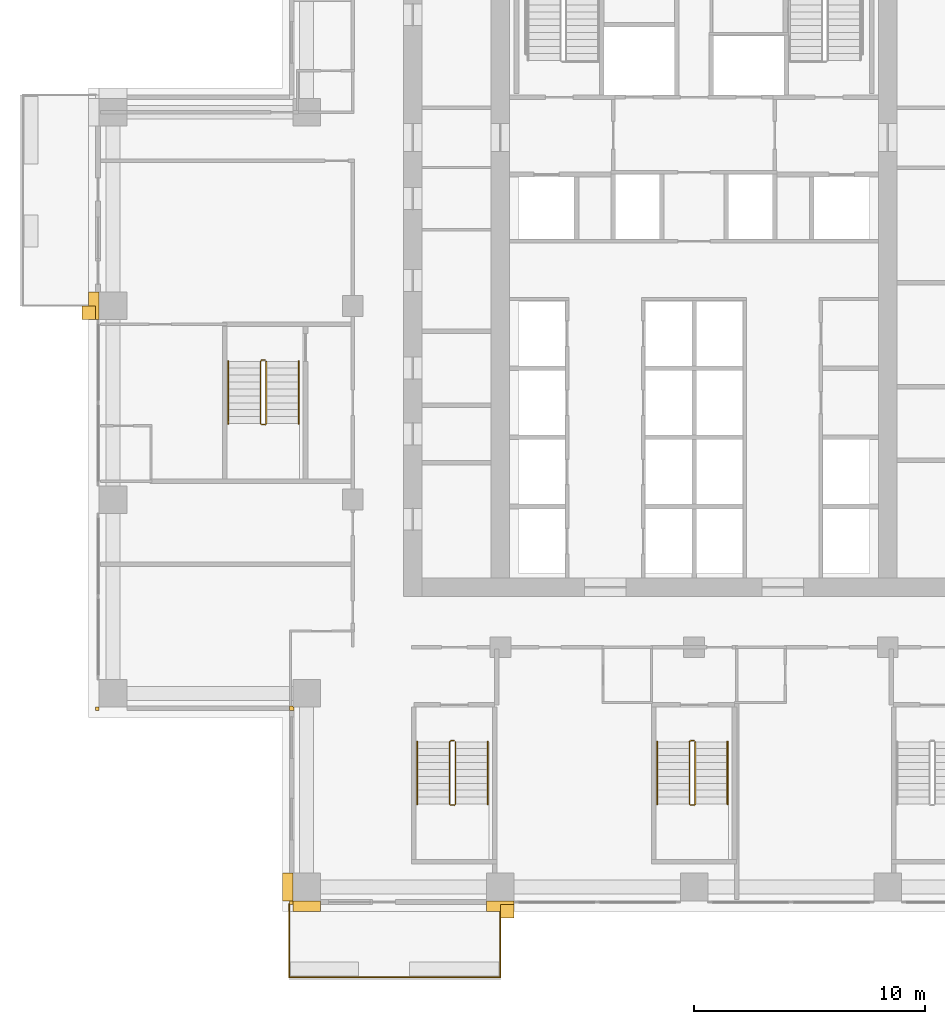
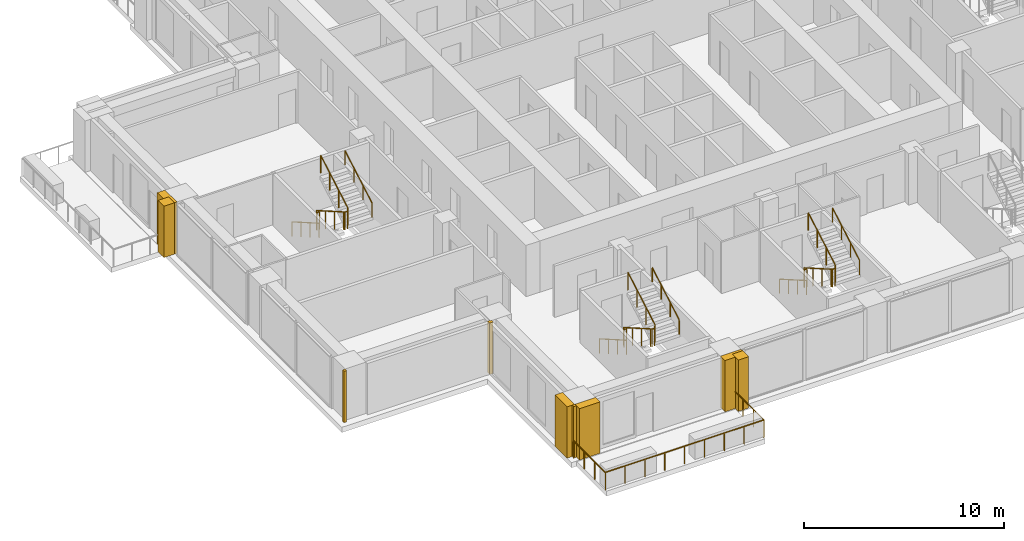
# One storey, part 14 of 17: 10 railings, 9 coverings.
"""IFC4 building model written with IfcOpenShell, lengths in metres."""

from ifc_helpers import new_model, si_unit, direction, frame, origin, origin_2d, place, context, subcontext, project, spatial, polyline, rectangle, outline, extrude, material, type_object, element, save


model = new_model("IFC4")

# Units and contexts
model_context = context("Model", 3, precision=1e-05, world=origin(), true_north=direction((0.0, 1.0)))
body_context = subcontext(model_context, "Body", "Model", "MODEL_VIEW")
ifc_project = project(units=[si_unit("LENGTHUNIT", "METRE"), si_unit("AREAUNIT", "SQUARE_METRE"), si_unit("VOLUMEUNIT", "CUBIC_METRE"), si_unit("PLANEANGLEUNIT", "RADIAN"), si_unit("MASSUNIT", "GRAM", prefix="KILO")], contexts=[model_context])

# Site, building, storey
site_placement = place(None, origin())
site = spatial("IfcSite", under=ifc_project, at=site_placement, CompositionType="ELEMENT")
building_placement = place(site_placement, origin())
building = spatial("IfcBuilding", under=site, at=building_placement, Name="Vermilion Ogive Tower", CompositionType="ELEMENT")
storey_placement = place(building_placement, frame((0.0, 0.0, 87.300048828125)))
storey = spatial("IfcBuildingStorey", under=building, at=storey_placement, Name="L21", CompositionType="ELEMENT", Elevation=87.300048828125)

# Railings
ifc_material_1 = material(Name="Stainless steel and glass", Category="steel")
railing_type_1 = type_object("IfcRailingType", Name="Balcony guard", PredefinedType="GUARDRAIL", material=ifc_material_1)
railing_1_placement = place(storey_placement, frame((-17.550048828125, -21.75, -0.0400390625)))
element("IfcRailing", 1, at=railing_1_placement, inside=storey, type_object=railing_type_1, Name="Guard S01", PredefinedType="GUARDRAIL", context=body_context, shape_type="SweptSolid", body=[
    extrude(rectangle(XDim=0.048095703125, YDim=0.048095703125, at=origin_2d()), frame((0.0, 0.0, 1.076171875), z_axis=(0.0, -1.0, 0.0), x_axis=(1.0, 0.0, 0.0)), (0.0, 0.0, 1.0), 3.159912109375),
    extrude(rectangle(XDim=0.048095703125, YDim=0.048095703125, at=origin_2d()), frame((0.0, -3.159912109375, 1.076171875), z_axis=(1.0, 0.0, 0.0), x_axis=(0.0, 1.0, 0.0)), (0.0, 0.0, 1.0), 9.150146484375),
    extrude(rectangle(XDim=0.048095703125, YDim=0.048095703125, at=origin_2d()), frame((9.150146484375, -3.159912109375, 1.076171875), z_axis=(0.0, 1.0, 0.0), x_axis=(-1.0, 0.0, 0.0)), (0.0, 0.0, 1.0), 3.159912109375),
    extrude(rectangle(XDim=0.0419921875, YDim=0.0419921875, at=origin_2d()), origin(), (0.0, 0.0, 1.0), 1.052001953125),
    extrude(rectangle(XDim=0.0419921875, YDim=0.0419921875, at=origin_2d()), frame((0.0, -1.05322265625, 0.0)), (0.0, 0.0, 1.0), 1.052001953125),
    extrude(rectangle(XDim=0.0419921875, YDim=0.0419921875, at=origin_2d()), frame((0.0, -2.106689453125, 0.0)), (0.0, 0.0, 1.0), 1.052001953125),
    extrude(rectangle(XDim=0.0419921875, YDim=0.0419921875, at=origin_2d()), frame((0.0, -3.159912109375, 0.0)), (0.0, 0.0, 1.0), 1.052001953125),
    extrude(rectangle(XDim=0.0419921875, YDim=0.0419921875, at=origin_2d()), frame((1.143798828125, -3.159912109375, 0.0)), (0.0, 0.0, 1.0), 1.052001953125),
    extrude(rectangle(XDim=0.0419921875, YDim=0.0419921875, at=origin_2d()), frame((2.28759765625, -3.159912109375, 0.0)), (0.0, 0.0, 1.0), 1.052001953125),
    extrude(rectangle(XDim=0.0419921875, YDim=0.0419921875, at=origin_2d()), frame((3.431396484375, -3.159912109375, 0.0)), (0.0, 0.0, 1.0), 1.052001953125),
    extrude(rectangle(XDim=0.0419921875, YDim=0.0419921875, at=origin_2d()), frame((4.5751953125, -3.159912109375, 0.0)), (0.0, 0.0, 1.0), 1.052001953125),
    extrude(rectangle(XDim=0.0419921875, YDim=0.0419921875, at=origin_2d()), frame((5.71875, -3.159912109375, 0.0)), (0.0, 0.0, 1.0), 1.052001953125),
    extrude(rectangle(XDim=0.0419921875, YDim=0.0419921875, at=origin_2d()), frame((6.862548828125, -3.159912109375, 0.0)), (0.0, 0.0, 1.0), 1.052001953125),
    extrude(rectangle(XDim=0.0419921875, YDim=0.0419921875, at=origin_2d()), frame((8.00634765625, -3.159912109375, 0.0)), (0.0, 0.0, 1.0), 1.052001953125),
    extrude(rectangle(XDim=0.0419921875, YDim=0.0419921875, at=origin_2d()), frame((9.150146484375, -3.159912109375, 0.0)), (0.0, 0.0, 1.0), 1.052001953125),
    extrude(rectangle(XDim=0.0419921875, YDim=0.0419921875, at=origin_2d()), frame((9.150146484375, -2.106689453125, 0.0)), (0.0, 0.0, 1.0), 1.052001953125),
    extrude(rectangle(XDim=0.0419921875, YDim=0.0419921875, at=origin_2d()), frame((9.150146484375, -1.05322265625, 0.0)), (0.0, 0.0, 1.0), 1.052001953125),
    extrude(rectangle(XDim=0.0419921875, YDim=0.0419921875, at=origin_2d()), frame((9.150146484375, 0.0, 0.0)), (0.0, 0.0, 1.0), 1.052001953125),
])
ifc_material_2 = material(Name="Steel S355 painted", Category="steel")
railing_type_2 = type_object("IfcRailingType", Name="Stair guard 1100", PredefinedType="GUARDRAIL", material=ifc_material_2)
railing_2_placement = place(storey_placement, frame((-10.39990234375, -14.64990234375, 0.0)))
element("IfcRailing", 2, at=railing_2_placement, inside=storey, type_object=railing_type_2, Name="L21 ST3 stair guard 4", PredefinedType="GUARDRAIL", context=body_context, shape_type="SweptSolid", body=[
    extrude(rectangle(XDim=0.048095703125, YDim=0.048095703125, at=origin_2d()), frame((0.0, 0.0, 1.076171875), z_axis=(-1.0, 0.0, 0.0), x_axis=(0.0, -1.0, 0.0)), (0.0, 0.0, 1.0), 0.150146484375),
    extrude(rectangle(XDim=0.048095703125, YDim=0.048095703125, at=origin_2d()), frame((-0.150146484375, 0.0, 1.076171875), z_axis=(-0.268603158521, -0.268603158521, 0.925043072762), x_axis=(0.707106781187, -0.707106781187, 0.0)), (0.0, 0.0, 1.0), 0.186279296875),
    extrude(rectangle(XDim=0.048095703125, YDim=0.048095703125, at=origin_2d()), frame((-0.2001953125, -0.050048828125, 1.24853515625), z_axis=(0.0, -0.866903762492, 0.498475542607), x_axis=(1.0, 0.0, 0.0)), (0.0, 0.0, 1.0), 3.114501953125),
    extrude(rectangle(XDim=0.048095703125, YDim=0.048095703125, at=origin_2d()), frame((-0.2001953125, -2.75, 2.80078125), z_axis=(0.707106781187, -0.707106781187, 0.0), x_axis=(0.707106781187, 0.707106781187, 0.0)), (0.0, 0.0, 1.0), 0.07080078125),
    extrude(rectangle(XDim=0.048095703125, YDim=0.048095703125, at=origin_2d()), frame((-0.150146484375, -2.800048828125, 2.80078125), z_axis=(1.0, 0.0, 0.0), x_axis=(0.0, 1.0, 0.0)), (0.0, 0.0, 1.0), 0.150146484375),
    extrude(rectangle(XDim=0.048095703125, YDim=0.048095703125, at=origin_2d()), frame((0.0, -2.800048828125, 2.80078125), z_axis=(0.267062837333, 0.268371968888, 0.925556009775), x_axis=(-0.708833529934, 0.705375805398, 0.0)), (0.0, 0.0, 1.0), 0.1865234375),
    extrude(rectangle(XDim=0.048095703125, YDim=0.048095703125, at=origin_2d()), frame((0.0498046875, -2.75, 2.9736328125), z_axis=(0.0, 0.866903762492, 0.498475542607), x_axis=(-1.0, 0.0, 0.0)), (0.0, 0.0, 1.0), 3.114501953125),
    extrude(rectangle(XDim=0.0419921875, YDim=0.0419921875, at=origin_2d()), origin(), (0.0, 0.0, 1.0), 1.052001953125),
    extrude(rectangle(XDim=0.0419921875, YDim=0.0419921875, at=origin_2d()), frame((-0.150146484375, 0.0, 0.0)), (0.0, 0.0, 1.0), 1.052001953125),
    extrude(rectangle(XDim=0.0419921875, YDim=0.0419921875, at=origin_2d()), frame((-0.2001953125, -0.050048828125, 0.17236328125)), (0.0, 0.0, 1.0), 1.052001953125),
    extrude(rectangle(XDim=0.0419921875, YDim=0.0419921875, at=origin_2d()), frame((-0.2001953125, -0.949951171875, 0.68994140625)), (0.0, 0.0, 1.0), 1.052001953125),
    extrude(rectangle(XDim=0.0419921875, YDim=0.0419921875, at=origin_2d()), frame((-0.2001953125, -1.85009765625, 1.207275390625)), (0.0, 0.0, 1.0), 1.052001953125),
    extrude(rectangle(XDim=0.0419921875, YDim=0.0419921875, at=origin_2d()), frame((-0.2001953125, -2.75, 1.724853515625)), (0.0, 0.0, 1.0), 1.052001953125),
    extrude(rectangle(XDim=0.0419921875, YDim=0.0419921875, at=origin_2d()), frame((-0.150146484375, -2.800048828125, 1.724853515625)), (0.0, 0.0, 1.0), 1.052001953125),
    extrude(rectangle(XDim=0.0419921875, YDim=0.0419921875, at=origin_2d()), frame((0.0, -2.800048828125, 1.724853515625)), (0.0, 0.0, 1.0), 1.052001953125),
    extrude(rectangle(XDim=0.0419921875, YDim=0.0419921875, at=origin_2d()), frame((0.0498046875, -2.75, 1.8974609375)), (0.0, 0.0, 1.0), 1.052001953125),
    extrude(rectangle(XDim=0.0419921875, YDim=0.0419921875, at=origin_2d()), frame((0.0498046875, -1.85009765625, 2.4150390625)), (0.0, 0.0, 1.0), 1.052001953125),
    extrude(rectangle(XDim=0.0419921875, YDim=0.0419921875, at=origin_2d()), frame((0.0498046875, -0.949951171875, 2.932373046875)), (0.0, 0.0, 1.0), 1.052001953125),
    extrude(rectangle(XDim=0.0419921875, YDim=0.0419921875, at=origin_2d()), frame((0.0498046875, -0.050048828125, 3.449951171875)), (0.0, 0.0, 1.0), 1.052001953125),
])
railing_3_placement = place(storey_placement, frame((0.0, -14.64990234375, 0.0)))
element("IfcRailing", 3, at=railing_3_placement, inside=storey, type_object=railing_type_2, Name="L21 ST4 stair guard 4", PredefinedType="GUARDRAIL", context=body_context, shape_type="SweptSolid", body=[
    extrude(rectangle(XDim=0.048095703125, YDim=0.048095703125, at=origin_2d()), frame((0.0, 0.0, 1.076171875), z_axis=(-1.0, 0.0, 0.0), x_axis=(0.0, -1.0, 0.0)), (0.0, 0.0, 1.0), 0.14990234375),
    extrude(rectangle(XDim=0.048095703125, YDim=0.048095703125, at=origin_2d()), frame((-0.14990234375, 0.0, 1.076171875), z_axis=(-0.268603158521, -0.268603158521, 0.925043072762), x_axis=(0.707106781187, -0.707106781187, 0.0)), (0.0, 0.0, 1.0), 0.186279296875),
    extrude(rectangle(XDim=0.048095703125, YDim=0.048095703125, at=origin_2d()), frame((-0.199951171875, -0.050048828125, 1.24853515625), z_axis=(0.0, -0.866903762492, 0.498475542607), x_axis=(1.0, 0.0, 0.0)), (0.0, 0.0, 1.0), 3.114501953125),
    extrude(rectangle(XDim=0.048095703125, YDim=0.048095703125, at=origin_2d()), frame((-0.199951171875, -2.75, 2.80078125), z_axis=(0.707106781187, -0.707106781187, 0.0), x_axis=(0.707106781187, 0.707106781187, 0.0)), (0.0, 0.0, 1.0), 0.07080078125),
    extrude(rectangle(XDim=0.048095703125, YDim=0.048095703125, at=origin_2d()), frame((-0.14990234375, -2.800048828125, 2.80078125), z_axis=(1.0, 0.0, 0.0), x_axis=(0.0, 1.0, 0.0)), (0.0, 0.0, 1.0), 0.14990234375),
    extrude(rectangle(XDim=0.048095703125, YDim=0.048095703125, at=origin_2d()), frame((0.0, -2.800048828125, 2.80078125), z_axis=(0.268277960024, 0.268277960024, 0.925231793839), x_axis=(-0.707106781187, 0.707106781187, 0.0)), (0.0, 0.0, 1.0), 0.1865234375),
    extrude(rectangle(XDim=0.048095703125, YDim=0.048095703125, at=origin_2d()), frame((0.050048828125, -2.75, 2.9736328125), z_axis=(0.0, 0.866903762492, 0.498475542607), x_axis=(-1.0, 0.0, 0.0)), (0.0, 0.0, 1.0), 3.114501953125),
    extrude(rectangle(XDim=0.0419921875, YDim=0.0419921875, at=origin_2d()), origin(), (0.0, 0.0, 1.0), 1.052001953125),
    extrude(rectangle(XDim=0.0419921875, YDim=0.0419921875, at=origin_2d()), frame((-0.14990234375, 0.0, 0.0)), (0.0, 0.0, 1.0), 1.052001953125),
    extrude(rectangle(XDim=0.0419921875, YDim=0.0419921875, at=origin_2d()), frame((-0.199951171875, -0.050048828125, 0.17236328125)), (0.0, 0.0, 1.0), 1.052001953125),
    extrude(rectangle(XDim=0.0419921875, YDim=0.0419921875, at=origin_2d()), frame((-0.199951171875, -0.949951171875, 0.68994140625)), (0.0, 0.0, 1.0), 1.052001953125),
    extrude(rectangle(XDim=0.0419921875, YDim=0.0419921875, at=origin_2d()), frame((-0.199951171875, -1.85009765625, 1.207275390625)), (0.0, 0.0, 1.0), 1.052001953125),
    extrude(rectangle(XDim=0.0419921875, YDim=0.0419921875, at=origin_2d()), frame((-0.199951171875, -2.75, 1.724853515625)), (0.0, 0.0, 1.0), 1.052001953125),
    extrude(rectangle(XDim=0.0419921875, YDim=0.0419921875, at=origin_2d()), frame((-0.14990234375, -2.800048828125, 1.724853515625)), (0.0, 0.0, 1.0), 1.052001953125),
    extrude(rectangle(XDim=0.0419921875, YDim=0.0419921875, at=origin_2d()), frame((0.0, -2.800048828125, 1.724853515625)), (0.0, 0.0, 1.0), 1.052001953125),
    extrude(rectangle(XDim=0.0419921875, YDim=0.0419921875, at=origin_2d()), frame((0.050048828125, -2.75, 1.8974609375)), (0.0, 0.0, 1.0), 1.052001953125),
    extrude(rectangle(XDim=0.0419921875, YDim=0.0419921875, at=origin_2d()), frame((0.050048828125, -1.85009765625, 2.4150390625)), (0.0, 0.0, 1.0), 1.052001953125),
    extrude(rectangle(XDim=0.0419921875, YDim=0.0419921875, at=origin_2d()), frame((0.050048828125, -0.949951171875, 2.932373046875)), (0.0, 0.0, 1.0), 1.052001953125),
    extrude(rectangle(XDim=0.0419921875, YDim=0.0419921875, at=origin_2d()), frame((0.050048828125, -0.050048828125, 3.449951171875)), (0.0, 0.0, 1.0), 1.052001953125),
])
railing_4_placement = place(storey_placement, frame((-18.60009765625, 1.85009765625, 0.0)))
element("IfcRailing", 4, at=railing_4_placement, inside=storey, type_object=railing_type_2, Name="L21 ST9 stair guard 4", PredefinedType="GUARDRAIL", context=body_context, shape_type="SweptSolid", body=[
    extrude(rectangle(XDim=0.048095703125, YDim=0.048095703125, at=origin_2d()), frame((0.0, 0.0, 1.076171875), z_axis=(-1.0, 0.0, 0.0), x_axis=(0.0, -1.0, 0.0)), (0.0, 0.0, 1.0), 0.14990234375),
    extrude(rectangle(XDim=0.048095703125, YDim=0.048095703125, at=origin_2d()), frame((-0.14990234375, 0.0, 1.076171875), z_axis=(-0.268603158521, -0.268603158521, 0.925043072762), x_axis=(0.707106781187, -0.707106781187, 0.0)), (0.0, 0.0, 1.0), 0.186279296875),
    extrude(rectangle(XDim=0.048095703125, YDim=0.048095703125, at=origin_2d()), frame((-0.199951171875, -0.050048828125, 1.24853515625), z_axis=(0.0, -0.866903762492, 0.498475542607), x_axis=(1.0, 0.0, 0.0)), (0.0, 0.0, 1.0), 3.114501953125),
    extrude(rectangle(XDim=0.048095703125, YDim=0.048095703125, at=origin_2d()), frame((-0.199951171875, -2.75, 2.80078125), z_axis=(0.707106781187, -0.707106781187, 0.0), x_axis=(0.707106781187, 0.707106781187, 0.0)), (0.0, 0.0, 1.0), 0.07080078125),
    extrude(rectangle(XDim=0.048095703125, YDim=0.048095703125, at=origin_2d()), frame((-0.14990234375, -2.800048828125, 2.80078125), z_axis=(1.0, 0.0, 0.0), x_axis=(0.0, 1.0, 0.0)), (0.0, 0.0, 1.0), 0.14990234375),
    extrude(rectangle(XDim=0.048095703125, YDim=0.048095703125, at=origin_2d()), frame((0.0, -2.800048828125, 2.80078125), z_axis=(0.268277960024, 0.268277960024, 0.925231793839), x_axis=(-0.707106781187, 0.707106781187, 0.0)), (0.0, 0.0, 1.0), 0.1865234375),
    extrude(rectangle(XDim=0.048095703125, YDim=0.048095703125, at=origin_2d()), frame((0.050048828125, -2.75, 2.9736328125), z_axis=(0.0, 0.866903762492, 0.498475542607), x_axis=(-1.0, 0.0, 0.0)), (0.0, 0.0, 1.0), 3.114501953125),
    extrude(rectangle(XDim=0.0419921875, YDim=0.0419921875, at=origin_2d()), origin(), (0.0, 0.0, 1.0), 1.052001953125),
    extrude(rectangle(XDim=0.0419921875, YDim=0.0419921875, at=origin_2d()), frame((-0.14990234375, 0.0, 0.0)), (0.0, 0.0, 1.0), 1.052001953125),
    extrude(rectangle(XDim=0.0419921875, YDim=0.0419921875, at=origin_2d()), frame((-0.199951171875, -0.050048828125, 0.17236328125)), (0.0, 0.0, 1.0), 1.052001953125),
    extrude(rectangle(XDim=0.0419921875, YDim=0.0419921875, at=origin_2d()), frame((-0.199951171875, -0.949951171875, 0.68994140625)), (0.0, 0.0, 1.0), 1.052001953125),
    extrude(rectangle(XDim=0.0419921875, YDim=0.0419921875, at=origin_2d()), frame((-0.199951171875, -1.85009765625, 1.207275390625)), (0.0, 0.0, 1.0), 1.052001953125),
    extrude(rectangle(XDim=0.0419921875, YDim=0.0419921875, at=origin_2d()), frame((-0.199951171875, -2.75, 1.724853515625)), (0.0, 0.0, 1.0), 1.052001953125),
    extrude(rectangle(XDim=0.0419921875, YDim=0.0419921875, at=origin_2d()), frame((-0.14990234375, -2.800048828125, 1.724853515625)), (0.0, 0.0, 1.0), 1.052001953125),
    extrude(rectangle(XDim=0.0419921875, YDim=0.0419921875, at=origin_2d()), frame((0.0, -2.800048828125, 1.724853515625)), (0.0, 0.0, 1.0), 1.052001953125),
    extrude(rectangle(XDim=0.0419921875, YDim=0.0419921875, at=origin_2d()), frame((0.050048828125, -2.75, 1.8974609375)), (0.0, 0.0, 1.0), 1.052001953125),
    extrude(rectangle(XDim=0.0419921875, YDim=0.0419921875, at=origin_2d()), frame((0.050048828125, -1.85009765625, 2.4150390625)), (0.0, 0.0, 1.0), 1.052001953125),
    extrude(rectangle(XDim=0.0419921875, YDim=0.0419921875, at=origin_2d()), frame((0.050048828125, -0.949951171875, 2.932373046875)), (0.0, 0.0, 1.0), 1.052001953125),
    extrude(rectangle(XDim=0.0419921875, YDim=0.0419921875, at=origin_2d()), frame((0.050048828125, -0.050048828125, 3.449951171875)), (0.0, 0.0, 1.0), 1.052001953125),
])
ifc_material_3 = material(Name="Stainless steel", Category="steel")
railing_type_3 = type_object("IfcRailingType", Name="Stair handrail 900", PredefinedType="HANDRAIL", material=ifc_material_3)
railing_5_placement = place(storey_placement, frame((-12.0, -14.699951171875, 0.17236328125)))
element("IfcRailing", 5, at=railing_5_placement, inside=storey, type_object=railing_type_3, Name="L21 ST3 stair handrail 1", PredefinedType="HANDRAIL", context=body_context, shape_type="SweptSolid", body=[
    extrude(rectangle(XDim=0.048095703125, YDim=0.048095703125, at=origin_2d()), frame((0.0, 0.0, 0.8759765625), z_axis=(0.0, -0.866903762492, 0.498475542607), x_axis=(1.0, 0.0, 0.0)), (0.0, 0.0, 1.0), 3.114501953125),
    extrude(rectangle(XDim=0.0419921875, YDim=0.0419921875, at=origin_2d()), origin(), (0.0, 0.0, 1.0), 0.851806640625),
    extrude(rectangle(XDim=0.0419921875, YDim=0.0419921875, at=origin_2d()), frame((0.0, -0.89990234375, 0.517578125)), (0.0, 0.0, 1.0), 0.851806640625),
    extrude(rectangle(XDim=0.0419921875, YDim=0.0419921875, at=origin_2d()), frame((0.0, -1.800048828125, 1.034912109375)), (0.0, 0.0, 1.0), 0.851806640625),
    extrude(rectangle(XDim=0.0419921875, YDim=0.0419921875, at=origin_2d()), frame((0.0, -2.699951171875, 1.552490234375)), (0.0, 0.0, 1.0), 0.851806640625),
])
railing_6_placement = place(storey_placement, frame((-8.949951171875, -17.39990234375, 1.8974609375)))
element("IfcRailing", 6, at=railing_6_placement, inside=storey, type_object=railing_type_3, Name="L21 ST3 stair handrail 2", PredefinedType="HANDRAIL", context=body_context, shape_type="SweptSolid", body=[
    extrude(rectangle(XDim=0.048095703125, YDim=0.048095703125, at=origin_2d()), frame((0.0, 0.0, 0.8759765625), z_axis=(0.0, 0.866903762492, 0.498475542607), x_axis=(-1.0, 0.0, 0.0)), (0.0, 0.0, 1.0), 3.114501953125),
    extrude(rectangle(XDim=0.0419921875, YDim=0.0419921875, at=origin_2d()), origin(), (0.0, 0.0, 1.0), 0.851806640625),
    extrude(rectangle(XDim=0.0419921875, YDim=0.0419921875, at=origin_2d()), frame((0.0, 0.89990234375, 0.517578125)), (0.0, 0.0, 1.0), 0.851806640625),
    extrude(rectangle(XDim=0.0419921875, YDim=0.0419921875, at=origin_2d()), frame((0.0, 1.800048828125, 1.034912109375)), (0.0, 0.0, 1.0), 0.851806640625),
    extrude(rectangle(XDim=0.0419921875, YDim=0.0419921875, at=origin_2d()), frame((0.0, 2.699951171875, 1.552490234375)), (0.0, 0.0, 1.0), 0.851806640625),
])
railing_7_placement = place(storey_placement, frame((-1.60009765625, -14.699951171875, 0.17236328125)))
element("IfcRailing", 7, at=railing_7_placement, inside=storey, type_object=railing_type_3, Name="L21 ST4 stair handrail 1", PredefinedType="HANDRAIL", context=body_context, shape_type="SweptSolid", body=[
    extrude(rectangle(XDim=0.048095703125, YDim=0.048095703125, at=origin_2d()), frame((0.0, 0.0, 0.8759765625), z_axis=(0.0, -0.866903762492, 0.498475542607), x_axis=(1.0, 0.0, 0.0)), (0.0, 0.0, 1.0), 3.114501953125),
    extrude(rectangle(XDim=0.0419921875, YDim=0.0419921875, at=origin_2d()), origin(), (0.0, 0.0, 1.0), 0.851806640625),
    extrude(rectangle(XDim=0.0419921875, YDim=0.0419921875, at=origin_2d()), frame((0.0, -0.89990234375, 0.517578125)), (0.0, 0.0, 1.0), 0.851806640625),
    extrude(rectangle(XDim=0.0419921875, YDim=0.0419921875, at=origin_2d()), frame((0.0, -1.800048828125, 1.034912109375)), (0.0, 0.0, 1.0), 0.851806640625),
    extrude(rectangle(XDim=0.0419921875, YDim=0.0419921875, at=origin_2d()), frame((0.0, -2.699951171875, 1.552490234375)), (0.0, 0.0, 1.0), 0.851806640625),
])
railing_8_placement = place(storey_placement, frame((1.449951171875, -17.39990234375, 1.8974609375)))
element("IfcRailing", 8, at=railing_8_placement, inside=storey, type_object=railing_type_3, Name="L21 ST4 stair handrail 2", PredefinedType="HANDRAIL", context=body_context, shape_type="SweptSolid", body=[
    extrude(rectangle(XDim=0.048095703125, YDim=0.048095703125, at=origin_2d()), frame((0.0, 0.0, 0.8759765625), z_axis=(0.0, 0.866903762492, 0.498475542607), x_axis=(-1.0, 0.0, 0.0)), (0.0, 0.0, 1.0), 3.114501953125),
    extrude(rectangle(XDim=0.0419921875, YDim=0.0419921875, at=origin_2d()), origin(), (0.0, 0.0, 1.0), 0.851806640625),
    extrude(rectangle(XDim=0.0419921875, YDim=0.0419921875, at=origin_2d()), frame((0.0, 0.89990234375, 0.517578125)), (0.0, 0.0, 1.0), 0.851806640625),
    extrude(rectangle(XDim=0.0419921875, YDim=0.0419921875, at=origin_2d()), frame((0.0, 1.800048828125, 1.034912109375)), (0.0, 0.0, 1.0), 0.851806640625),
    extrude(rectangle(XDim=0.0419921875, YDim=0.0419921875, at=origin_2d()), frame((0.0, 2.699951171875, 1.552490234375)), (0.0, 0.0, 1.0), 0.851806640625),
])
railing_9_placement = place(storey_placement, frame((-20.199951171875, 1.800048828125, 0.17236328125)))
element("IfcRailing", 9, at=railing_9_placement, inside=storey, type_object=railing_type_3, Name="L21 ST9 stair handrail 1", PredefinedType="HANDRAIL", context=body_context, shape_type="SweptSolid", body=[
    extrude(rectangle(XDim=0.048095703125, YDim=0.048095703125, at=origin_2d()), frame((0.0, 0.0, 0.8759765625), z_axis=(0.0, -0.866903762492, 0.498475542607), x_axis=(1.0, 0.0, 0.0)), (0.0, 0.0, 1.0), 3.114501953125),
    extrude(rectangle(XDim=0.0419921875, YDim=0.0419921875, at=origin_2d()), origin(), (0.0, 0.0, 1.0), 0.851806640625),
    extrude(rectangle(XDim=0.0419921875, YDim=0.0419921875, at=origin_2d()), frame((0.0, -0.89990234375, 0.517578125)), (0.0, 0.0, 1.0), 0.851806640625),
    extrude(rectangle(XDim=0.0419921875, YDim=0.0419921875, at=origin_2d()), frame((0.0, -1.800048828125, 1.034912109375)), (0.0, 0.0, 1.0), 0.851806640625),
    extrude(rectangle(XDim=0.0419921875, YDim=0.0419921875, at=origin_2d()), frame((0.0, -2.699951171875, 1.552490234375)), (0.0, 0.0, 1.0), 0.851806640625),
])
railing_10_placement = place(storey_placement, frame((-17.14990234375, -0.89990234375, 1.8974609375)))
element("IfcRailing", 10, at=railing_10_placement, inside=storey, type_object=railing_type_3, Name="L21 ST9 stair handrail 2", PredefinedType="HANDRAIL", context=body_context, shape_type="SweptSolid", body=[
    extrude(rectangle(XDim=0.048095703125, YDim=0.048095703125, at=origin_2d()), frame((0.0, 0.0, 0.8759765625), z_axis=(0.0, 0.866903762492, 0.498475542607), x_axis=(-1.0, 0.0, 0.0)), (0.0, 0.0, 1.0), 3.114501953125),
    extrude(rectangle(XDim=0.0419921875, YDim=0.0419921875, at=origin_2d()), origin(), (0.0, 0.0, 1.0), 0.851806640625),
    extrude(rectangle(XDim=0.0419921875, YDim=0.0419921875, at=origin_2d()), frame((0.0, 0.89990234375, 0.517578125)), (0.0, 0.0, 1.0), 0.851806640625),
    extrude(rectangle(XDim=0.0419921875, YDim=0.0419921875, at=origin_2d()), frame((0.0, 1.800048828125, 1.034912109375)), (0.0, 0.0, 1.0), 0.851806640625),
    extrude(rectangle(XDim=0.0419921875, YDim=0.0419921875, at=origin_2d()), frame((0.0, 2.699951171875, 1.552490234375)), (0.0, 0.0, 1.0), 0.851806640625),
])

# Coverings
ifc_material_4 = material(Name="Stone cladding", Category="masonry")
covering_type_1 = type_object("IfcCoveringType", Name="Stone corner buttress", PredefinedType="CLADDING", material=ifc_material_4)
covering_1_placement = place(storey_placement, origin())
element("IfcCovering", 11, at=covering_1_placement, inside=storey, type_object=covering_type_1, Name="Stone crease pier SK", PredefinedType="CLADDING", context=body_context, shape_type="SweptSolid", body=[
    extrude(outline(polyline([(-8.39990234375, -22.35009765625), (-7.800048828125, -22.35009765625), (-7.800048828125, -21.75), (-8.39990234375, -21.75), (-8.39990234375, -22.35009765625)])), origin(), (0.0, 0.0, 1.0), 3.1298828125),
])
covering_2_placement = place(storey_placement, origin())
element("IfcCovering", 12, at=covering_2_placement, inside=storey, type_object=covering_type_1, Name="Stone crease pier WK", PredefinedType="CLADDING", context=body_context, shape_type="SweptSolid", body=[
    extrude(outline(polyline([(-26.550048828125, 4.199951171875), (-26.550048828125, 3.60009765625), (-25.949951171875, 3.60009765625), (-25.949951171875, 4.199951171875), (-26.550048828125, 4.199951171875)])), origin(), (0.0, 0.0, 1.0), 3.1298828125),
])
ifc_material_5 = material(Name="Stone cladding", Category="masonry")
covering_type_2 = type_object("IfcCoveringType", Name="Stone pier", PredefinedType="CLADDING", material=ifc_material_5)
covering_3_placement = place(storey_placement, origin())
element("IfcCovering", 13, at=covering_3_placement, inside=storey, type_object=covering_type_2, Name="Stone corner pier WE1", PredefinedType="CLADDING", context=body_context, shape_type="SweptSolid", body=[
    extrude(outline(polyline([(-25.949951171875, -13.199951171875), (-25.800048828125, -13.199951171875), (-25.800048828125, -13.35009765625), (-25.949951171875, -13.35009765625), (-25.949951171875, -13.199951171875)])), origin(), (0.0, 0.0, 1.0), 3.1298828125),
])
covering_4_placement = place(storey_placement, origin())
element("IfcCovering", 14, at=covering_4_placement, inside=storey, type_object=covering_type_2, Name="Stone corner pier X7E1", PredefinedType="CLADDING", context=body_context, shape_type="SweptSolid", body=[
    extrude(outline(polyline([(-17.39990234375, -13.14990234375), (-17.39990234375, -13.199951171875), (-17.35009765625, -13.199951171875), (-17.35009765625, -13.35009765625), (-17.550048828125, -13.35009765625), (-17.550048828125, -13.14990234375), (-17.39990234375, -13.14990234375)])), origin(), (0.0, 0.0, 1.0), 3.1298828125),
])
covering_5_placement = place(storey_placement, origin())
element("IfcCovering", 15, at=covering_5_placement, inside=storey, type_object=covering_type_2, Name="Stone corner pier X8E1", PredefinedType="CLADDING", context=body_context, shape_type="SweptSolid", body=[
    extrude(outline(polyline([(-17.550048828125, -21.60009765625), (-17.39990234375, -21.60009765625), (-17.39990234375, -21.60009765625), (-17.39990234375, -21.75), (-17.550048828125, -21.75), (-17.550048828125, -21.60009765625)])), origin(), (0.0, 0.0, 1.0), 3.1298828125),
])
covering_6_placement = place(storey_placement, origin())
element("IfcCovering", 16, at=covering_6_placement, inside=storey, type_object=covering_type_2, Name="Stone pier P-0084-210", PredefinedType="CLADDING", context=body_context, shape_type="SweptSolid", body=[
    extrude(outline(polyline([(-7.800048828125, -21.75), (-8.39990234375, -21.75), (-8.39990234375, -22.050048828125), (-9.0, -22.050048828125), (-9.0, -21.60009765625), (-7.800048828125, -21.60009765625), (-7.800048828125, -21.75)])), origin(), (0.0, 0.0, 1.0), 3.1298828125),
])
covering_7_placement = place(storey_placement, origin())
element("IfcCovering", 17, at=covering_7_placement, inside=storey, type_object=covering_type_2, Name="Stone pier P-0168-210S", PredefinedType="CLADDING", context=body_context, shape_type="SweptSolid", body=[
    extrude(outline(polyline([(-16.199951171875, -22.050048828125), (-17.39990234375, -22.050048828125), (-17.39990234375, -21.60009765625), (-16.199951171875, -21.60009765625), (-16.199951171875, -22.050048828125)])), origin(), (0.0, 0.0, 1.0), 3.1298828125),
])
covering_8_placement = place(storey_placement, origin())
element("IfcCovering", 18, at=covering_8_placement, inside=storey, type_object=covering_type_2, Name="Stone pier P-0168-210X8", PredefinedType="CLADDING", context=body_context, shape_type="SweptSolid", body=[
    extrude(outline(polyline([(-17.85009765625, -20.39990234375), (-17.39990234375, -20.39990234375), (-17.39990234375, -21.60009765625), (-17.85009765625, -21.60009765625), (-17.85009765625, -20.39990234375)])), origin(), (0.0, 0.0, 1.0), 3.1298828125),
])
covering_9_placement = place(storey_placement, origin())
element("IfcCovering", 19, at=covering_9_placement, inside=storey, type_object=covering_type_2, Name="Stone pier P-0252+042", PredefinedType="CLADDING", context=body_context, shape_type="SweptSolid", body=[
    extrude(outline(polyline([(-25.800048828125, 3.60009765625), (-25.949951171875, 3.60009765625), (-25.949951171875, 4.199951171875), (-26.25, 4.199951171875), (-26.25, 4.800048828125), (-25.800048828125, 4.800048828125), (-25.800048828125, 4.800048828125), (-25.800048828125, 3.60009765625)])), origin(), (0.0, 0.0, 1.0), 3.1298828125),
])

save(model, "model.ifc")
